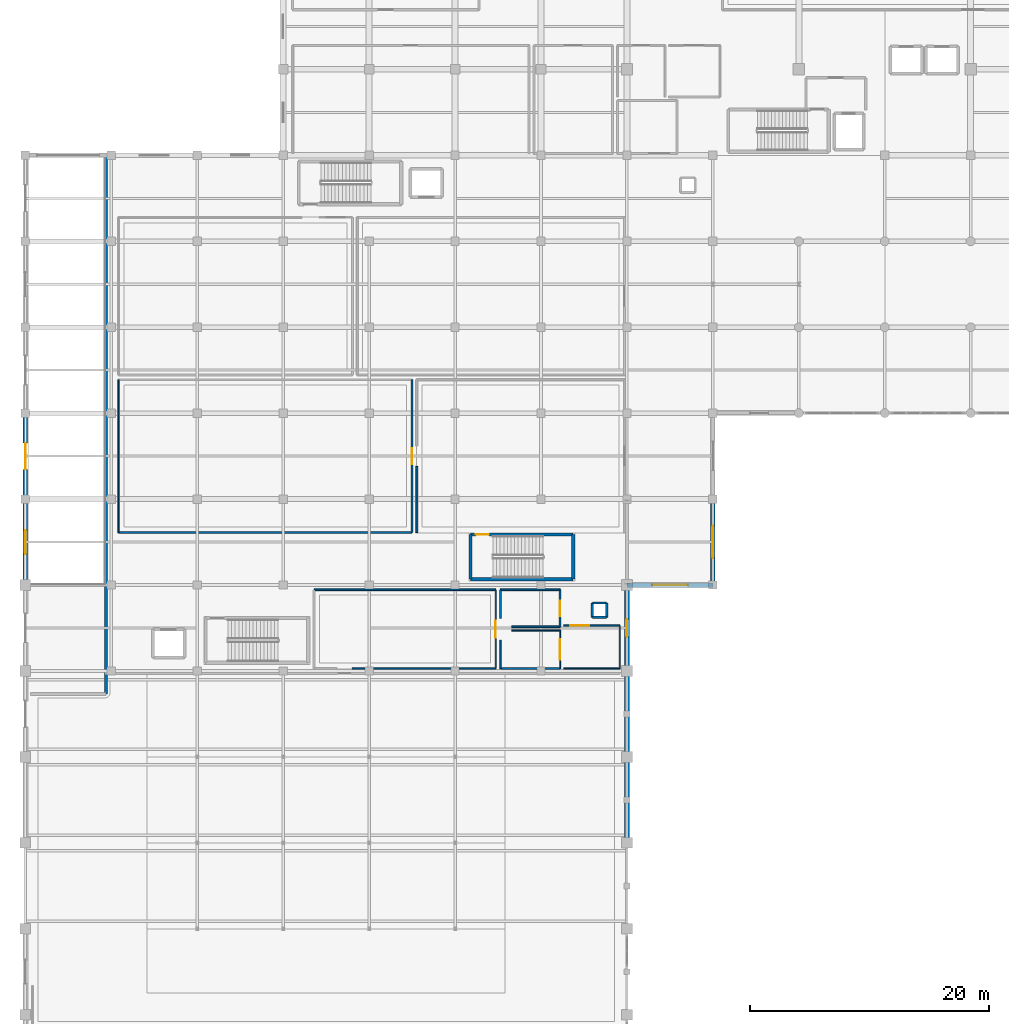
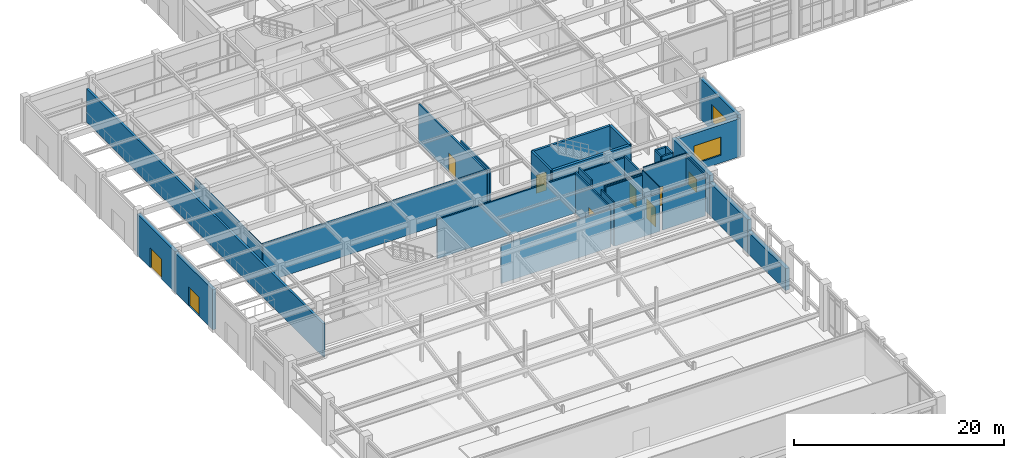
# One storey, part 73 of 102: 34 walls, 8 doors, 3 windows, 11 openings.
"""IFC4 building model written with IfcOpenShell, lengths in metres."""

from ifc_helpers import new_model, si_unit, direction, frame, frame_2d, origin, place, context, subcontext, project, spatial, rectangle, extrude, material, layer, layer_set, type_object, element, fill, save


model = new_model("IFC4")

# Units and contexts
model_context = context("Model", 3, precision=1e-05, world=origin(), true_north=direction((0.0, 1.0)))
body_context = subcontext(model_context, "Body", "Model", "MODEL_VIEW")
ifc_project = project(units=[si_unit("LENGTHUNIT", "METRE"), si_unit("AREAUNIT", "SQUARE_METRE"), si_unit("VOLUMEUNIT", "CUBIC_METRE"), si_unit("PLANEANGLEUNIT", "RADIAN"), si_unit("MASSUNIT", "GRAM", prefix="KILO")], contexts=[model_context])

# Site, building, storey
site_placement = place(None, origin())
site = spatial("IfcSite", under=ifc_project, at=site_placement, CompositionType="ELEMENT")
building_placement = place(site_placement, origin())
building = spatial("IfcBuilding", under=site, at=building_placement, Name="Carrowvane Square Congress Hotel", CompositionType="ELEMENT")
storey_placement = place(building_placement, origin())
storey = spatial("IfcBuildingStorey", under=building, at=storey_placement, Name="L00", CompositionType="ELEMENT", Elevation=0.0)

# Wall, opening, door
ifc_material_1 = material(Name="Portland limestone cladding", Category="masonry")
ifc_layer_1 = layer(ifc_material_1, 0.3798828125)
ifc_layer_set_1 = layer_set([ifc_layer_1], Name="Portland limestone cladding")
wall_type_1 = type_object("IfcWallType", Name="WL-EXT-LS380", PredefinedType="STANDARD", material=ifc_layer_set_1)
wall_1_placement = place(storey_placement, frame((11.60009765625, 55.800048828125, 0.0), z_axis=(0.0, 0.0, 1.0), x_axis=(0.0, 1.0, 0.0)))
wall_1 = element("IfcWall", 1, at=wall_1_placement, inside=storey, type_object=wall_type_1, Name="L00 exterior facade wall 139", PredefinedType="STANDARD", context=body_context, shape_type="SweptSolid", body=[
    extrude(rectangle(XDim=7.199951171875, YDim=0.3798828125, at=frame_2d((3.60009765625, 0.0))), origin(), (0.0, 0.0, 1.0), 4.625),
])
opening_1_placement = place(wall_1_placement, frame((2.60009765625, 0.0, 0.0)))
opening_1 = element("IfcOpeningElement", 2, at=opening_1_placement, cuts=wall_1, Name="Opening ED-1", PredefinedType="OPENING", context=body_context, shape_type="SweptSolid", body=[
    extrude(rectangle(XDim=2.0, YDim=2.199951171875, at=frame_2d((1.0, 1.10009765625))), frame((0.0, 0.199951171875, 0.0), z_axis=(0.0, -1.0, 0.0), x_axis=(1.0, 0.0, 0.0)), (0.0, 0.0, 1.0), 0.39990234375),
])
ifc_material_2 = material(Name="Anodised aluminium", Category="aluminium")
door_type_1 = type_object("IfcDoorType", Name="DR-EXIT-2000", OperationType="DOUBLE_DOOR_SINGLE_SWING", PredefinedType="DOOR", material=ifc_material_2)
door_1_placement = place(opening_1_placement, origin())
door_1 = element("IfcDoor", 3, at=door_1_placement, inside=storey, type_object=door_type_1, Name="L00 final exit door ED-06", OperationType="DOUBLE_DOOR_SINGLE_SWING", OverallHeight=2.199951171875, OverallWidth=2.0, PredefinedType="DOOR", context=body_context, shape_type="SweptSolid", body=[
    extrude(rectangle(XDim=2.0, YDim=2.199951171875, at=frame_2d((1.0, 1.10009765625))), frame((0.0, 0.02490234375, 0.0), z_axis=(0.0, -1.0, 0.0), x_axis=(1.0, 0.0, 0.0)), (0.0, 0.0, 1.0), 0.050048828125),
])
fill(opening_1, door_1)

wall_2_placement = place(storey_placement, frame((11.60009765625, 63.0, 0.0), z_axis=(0.0, 0.0, 1.0), x_axis=(0.0, 1.0, 0.0)))
wall_2 = element("IfcWall", 4, at=wall_2_placement, inside=storey, type_object=wall_type_1, Name="L00 exterior facade wall 140", PredefinedType="STANDARD", context=body_context, shape_type="SweptSolid", body=[
    extrude(rectangle(XDim=7.199951171875, YDim=0.3798828125, at=frame_2d((3.60009765625, 0.0))), origin(), (0.0, 0.0, 1.0), 4.72705078125),
])
opening_2_placement = place(wall_2_placement, frame((2.5, 0.0, 0.0)))
opening_2 = element("IfcOpeningElement", 5, at=opening_2_placement, cuts=wall_2, Name="Opening ED-2", PredefinedType="OPENING", context=body_context, shape_type="SweptSolid", body=[
    extrude(rectangle(XDim=2.199951171875, YDim=2.300048828125, at=frame_2d((1.10009765625, 1.14990234375))), frame((0.0, 0.199951171875, 0.0), z_axis=(0.0, -1.0, 0.0), x_axis=(1.0, 0.0, 0.0)), (0.0, 0.0, 1.0), 0.39990234375),
])
ifc_material_3 = material(Name="Anodised aluminium", Category="aluminium")
door_type_2 = type_object("IfcDoorType", Name="DR-EXIT-2200", OperationType="DOUBLE_DOOR_SINGLE_SWING", PredefinedType="DOOR", material=ifc_material_3)
door_2_placement = place(opening_2_placement, origin())
door_2 = element("IfcDoor", 6, at=door_2_placement, inside=storey, type_object=door_type_2, Name="L00 final exit door ED-07", OperationType="DOUBLE_DOOR_SINGLE_SWING", OverallHeight=2.300048828125, OverallWidth=2.199951171875, PredefinedType="DOOR", context=body_context, shape_type="SweptSolid", body=[
    extrude(rectangle(XDim=2.199951171875, YDim=2.300048828125, at=frame_2d((1.10009765625, 1.14990234375))), frame((0.0, 0.02490234375, 0.0), z_axis=(0.0, -1.0, 0.0), x_axis=(1.0, 0.0, 0.0)), (0.0, 0.0, 1.0), 0.050048828125),
])
fill(opening_2, door_2)

# Wall, opening, window
wall_3_placement = place(storey_placement, frame((69.199951171875, 63.0, 0.0), z_axis=(0.0, 0.0, 1.0), x_axis=(0.0, -1.0, 0.0)))
wall_3 = element("IfcWall", 7, at=wall_3_placement, inside=storey, type_object=wall_type_1, Name="L00 exterior facade wall 192", PredefinedType="STANDARD", context=body_context, shape_type="SweptSolid", body=[
    extrude(rectangle(XDim=7.199951171875, YDim=0.3798828125, at=frame_2d((3.60009765625, 0.0))), origin(), (0.0, 0.0, 1.0), 4.72705078125),
])
opening_3_placement = place(wall_3_placement, frame((2.25, 0.0, 0.89990234375)))
opening_3 = element("IfcOpeningElement", 8, at=opening_3_placement, cuts=wall_3, Name="Opening W-13", PredefinedType="OPENING", context=body_context, shape_type="SweptSolid", body=[
    extrude(rectangle(XDim=2.699951171875, YDim=2.10009765625, at=frame_2d((1.35009765625, 1.050048828125))), frame((0.0, 0.199951171875, 0.0), z_axis=(0.0, -1.0, 0.0), x_axis=(1.0, 0.0, 0.0)), (0.0, 0.0, 1.0), 0.39990234375),
])
ifc_material_4 = material(Name="Double-glazed low-E glass", Category="glass")
window_type_1 = type_object("IfcWindowType", Name="WIN-13", PartitioningType="SINGLE_PANEL", PredefinedType="WINDOW", material=ifc_material_4)
window_1_placement = place(opening_3_placement, origin())
window_1 = element("IfcWindow", 9, at=window_1_placement, inside=storey, type_object=window_type_1, Name="L00 facade window 28", OverallHeight=2.10009765625, OverallWidth=2.699951171875, PartitioningType="SINGLE_PANEL", PredefinedType="WINDOW", context=body_context, shape_type="SweptSolid", body=[
    extrude(rectangle(XDim=2.699951171875, YDim=2.10009765625, at=frame_2d((1.35009765625, 1.050048828125))), frame((0.0, 0.030029296875, 0.0), z_axis=(0.0, -1.0, 0.0), x_axis=(1.0, 0.0, 0.0)), (0.0, 0.0, 1.0), 0.06005859375),
])
fill(opening_3, window_1)

wall_4_placement = place(storey_placement, frame((69.199951171875, 55.800048828125, 0.0), z_axis=(0.0, 0.0, 1.0), x_axis=(-1.0, 0.0, 0.0)))
wall_4 = element("IfcWall", 10, at=wall_4_placement, inside=storey, type_object=wall_type_1, Name="L00 exterior facade wall 193", PredefinedType="STANDARD", context=body_context, shape_type="SweptSolid", body=[
    extrude(rectangle(XDim=7.199951171875, YDim=0.3798828125, at=frame_2d((3.60009765625, 0.0))), origin(), (0.0, 0.0, 1.0), 4.43505859375),
])
opening_4_placement = place(wall_4_placement, frame((2.10009765625, 0.0, 0.89990234375)))
opening_4 = element("IfcOpeningElement", 11, at=opening_4_placement, cuts=wall_4, Name="Opening W-14", PredefinedType="OPENING", context=body_context, shape_type="SweptSolid", body=[
    extrude(rectangle(XDim=3.0, YDim=2.10009765625, at=frame_2d((1.5, 1.050048828125))), frame((0.0, 0.199951171875, 0.0), z_axis=(0.0, -1.0, 0.0), x_axis=(1.0, 0.0, 0.0)), (0.0, 0.0, 1.0), 0.39990234375),
])
ifc_material_5 = material(Name="Double-glazed low-E glass", Category="glass")
window_type_2 = type_object("IfcWindowType", Name="WIN-14", PartitioningType="SINGLE_PANEL", PredefinedType="WINDOW", material=ifc_material_5)
window_2_placement = place(opening_4_placement, origin())
window_2 = element("IfcWindow", 12, at=window_2_placement, inside=storey, type_object=window_type_2, Name="L00 facade window 29", OverallHeight=2.10009765625, OverallWidth=3.0, PartitioningType="SINGLE_PANEL", PredefinedType="WINDOW", context=body_context, shape_type="SweptSolid", body=[
    extrude(rectangle(XDim=3.0, YDim=2.10009765625, at=frame_2d((1.5, 1.050048828125))), frame((0.0, 0.030029296875, 0.0), z_axis=(0.0, -1.0, 0.0), x_axis=(1.0, 0.0, 0.0)), (0.0, 0.0, 1.0), 0.06005859375),
])
fill(opening_4, window_2)

ifc_material_6 = material(Name="Portland limestone cladding", Category="masonry")
ifc_layer_2 = layer(ifc_material_6, 0.419921875)
ifc_layer_set_2 = layer_set([ifc_layer_2], Name="Portland limestone cladding")
wall_type_2 = type_object("IfcWallType", Name="WL-EXT-LS420", PredefinedType="STANDARD", material=ifc_layer_set_2)
wall_5_placement = place(storey_placement, frame((62.0, 55.800048828125, 0.0), z_axis=(0.0, 0.0, 1.0), x_axis=(0.0, -1.0, 0.0)))
wall_5 = element("IfcWall", 13, at=wall_5_placement, inside=storey, type_object=wall_type_2, Name="L00 exterior facade wall 194", PredefinedType="STANDARD", context=body_context, shape_type="SweptSolid", body=[
    extrude(rectangle(XDim=7.199951171875, YDim=0.419921875, at=frame_2d((3.60009765625, 0.0))), origin(), (0.0, 0.0, 1.0), 4.625),
])
opening_5_placement = place(wall_5_placement, frame((2.85009765625, 0.0, 0.89990234375)))
opening_5 = element("IfcOpeningElement", 14, at=opening_5_placement, cuts=wall_5, Name="Opening W-15", PredefinedType="OPENING", context=body_context, shape_type="SweptSolid", body=[
    extrude(rectangle(XDim=1.5, YDim=1.5, at=frame_2d((0.75, 0.75))), frame((0.0, 0.219970703125, 0.0), z_axis=(0.0, -1.0, 0.0), x_axis=(1.0, 0.0, 0.0)), (0.0, 0.0, 1.0), 0.43994140625),
])
ifc_material_7 = material(Name="Double-glazed low-E glass", Category="glass")
window_type_3 = type_object("IfcWindowType", Name="WIN-15", PartitioningType="SINGLE_PANEL", PredefinedType="WINDOW", material=ifc_material_7)
window_3_placement = place(opening_5_placement, origin())
window_3 = element("IfcWindow", 15, at=window_3_placement, inside=storey, type_object=window_type_3, Name="L00 facade window 30", OverallHeight=1.5, OverallWidth=1.5, PartitioningType="SINGLE_PANEL", PredefinedType="WINDOW", context=body_context, shape_type="SweptSolid", body=[
    extrude(rectangle(XDim=1.5, YDim=1.5, at=frame_2d((0.75, 0.75))), frame((0.0, 0.030029296875, 0.0), z_axis=(0.0, -1.0, 0.0), x_axis=(1.0, 0.0, 0.0)), (0.0, 0.0, 1.0), 0.06005859375),
])
fill(opening_5, window_3)

# Walls
wall_6_placement = place(storey_placement, frame((62.0, 48.60009765625, 0.0), z_axis=(0.0, 0.0, 1.0), x_axis=(0.0, -1.0, 0.0)))
element("IfcWall", 16, at=wall_6_placement, inside=storey, type_object=wall_type_2, Name="L00 exterior facade wall 195", PredefinedType="STANDARD", context=body_context, shape_type="SweptSolid", body=[
    extrude(rectangle(XDim=7.2001953125, YDim=0.419921875, at=frame_2d((3.60009765625, 0.0))), origin(), (0.0, 0.0, 1.0), 3.848388671875),
])
wall_7_placement = place(storey_placement, frame((62.0, 41.39990234375, 0.0), z_axis=(0.0, 0.0, 1.0), x_axis=(0.0, -1.0, 0.0)))
element("IfcWall", 17, at=wall_7_placement, inside=storey, type_object=wall_type_2, Name="L00 exterior facade wall 196", PredefinedType="STANDARD", context=body_context, shape_type="SweptSolid", body=[
    extrude(rectangle(XDim=7.199951171875, YDim=0.419921875, at=frame_2d((3.60009765625, 0.0))), origin(), (0.0, 0.0, 1.0), 2.54833984375),
])
ifc_material_8 = material(Name="Acoustic gypsum board", Category="gypsum")
ifc_layer_3 = layer(ifc_material_8, 0.155029296875)
ifc_layer_set_3 = layer_set([ifc_layer_3], Name="Acoustic gypsum board")
wall_type_3 = type_object("IfcWallType", Name="WL-FIR-155", PredefinedType="PARTITIONING", material=ifc_layer_set_3)
wall_8_placement = place(storey_placement, frame((35.800048828125, 55.39990234375, 0.0), z_axis=(0.0, 0.0, 1.0), x_axis=(1.0, 0.0, 0.0)))
element("IfcWall", 18, at=wall_8_placement, inside=storey, type_object=wall_type_3, Name="L00 Congress Registration Concourse partition", PredefinedType="PARTITIONING", context=body_context, shape_type="SweptSolid", body=[
    extrude(rectangle(XDim=15.199951171875, YDim=0.155029296875, at=frame_2d((7.60009765625, 0.0))), origin(), (0.0, 0.0, 1.0), 4.54833984375),
])
wall_9_placement = place(storey_placement, frame((51.39990234375, 55.39990234375, 0.0), z_axis=(0.0, 0.0, 1.0), x_axis=(1.0, 0.0, 0.0)))
element("IfcWall", 19, at=wall_9_placement, inside=storey, type_object=wall_type_3, Name="L00 Congress Female Toilets partition", PredefinedType="PARTITIONING", context=body_context, shape_type="SweptSolid", body=[
    extrude(rectangle(XDim=5.0, YDim=0.155029296875, at=frame_2d((2.5, 0.0))), origin(), (0.0, 0.0, 1.0), 4.54833984375),
])
wall_10_placement = place(storey_placement, frame((44.39990234375, 60.199951171875, 0.0), z_axis=(0.0, 0.0, 1.0), x_axis=(0.0, 1.0, 0.0)))
element("IfcWall", 20, at=wall_10_placement, inside=storey, type_object=wall_type_3, Name="L00 Botanical Wellness Cafe partition", PredefinedType="PARTITIONING", context=body_context, shape_type="SweptSolid", body=[
    extrude(rectangle(XDim=5.5400390625, YDim=0.155029296875, at=frame_2d((2.77001953125, 0.0))), origin(), (0.0, 0.0, 1.0), 4.43505859375),
])
ifc_material_9 = material(Name="Acoustic gypsum board", Category="gypsum")
ifc_layer_4 = layer(ifc_material_9, 0.169921875)
ifc_layer_set_4 = layer_set([ifc_layer_4], Name="Acoustic gypsum board")
wall_type_4 = type_object("IfcWallType", Name="WL-FIR-170", PredefinedType="PARTITIONING", material=ifc_layer_set_4)
wall_11_placement = place(storey_placement, frame((51.39990234375, 53.0048828125, 0.0), z_axis=(0.0, 0.0, 1.0), x_axis=(0.0, 1.0, 0.0)))
element("IfcWall", 21, at=wall_11_placement, inside=storey, type_object=wall_type_4, Name="L00 Congress Female Toilets partition", PredefinedType="PARTITIONING", context=body_context, shape_type="SweptSolid", body=[
    extrude(rectangle(XDim=2.39501953125, YDim=0.169921875, at=frame_2d((1.197509765625, 0.0))), origin(), (0.0, 0.0, 1.0), 5.10009765625),
])
wall_12_placement = place(storey_placement, frame((44.0, 60.199951171875, 0.0), z_axis=(0.0, 0.0, 1.0), x_axis=(-1.0, 0.0, 0.0)))
element("IfcWall", 22, at=wall_12_placement, inside=storey, type_object=wall_type_4, Name="L00 Thermal Spa Reception Lounge partition", PredefinedType="PARTITIONING", context=body_context, shape_type="SweptSolid", body=[
    extrude(rectangle(XDim=24.60009765625, YDim=0.169921875, at=frame_2d((12.300048828125, 0.0))), origin(), (0.0, 0.0, 1.0), 4.54833984375),
])
ifc_material_10 = material(Name="Acoustic gypsum board", Category="gypsum")
ifc_layer_5 = layer(ifc_material_10, 0.18505859375)
ifc_layer_set_5 = layer_set([ifc_layer_5], Name="Acoustic gypsum board")
wall_type_5 = type_object("IfcWallType", Name="WL-FIR-185", PredefinedType="PARTITIONING", material=ifc_layer_set_5)
wall_13_placement = place(storey_placement, frame((56.39990234375, 48.800048828125, 0.0), z_axis=(0.0, 0.0, 1.0), x_axis=(-1.0, 0.0, 0.0)))
element("IfcWall", 23, at=wall_13_placement, inside=storey, type_object=wall_type_5, Name="L00 Congress Male Toilets partition", PredefinedType="PARTITIONING", context=body_context, shape_type="SweptSolid", body=[
    extrude(rectangle(XDim=5.0, YDim=0.18505859375, at=frame_2d((2.5, 0.0))), origin(), (0.0, 0.0, 1.0), 4.472900390625),
])

# Wall, opening, door
wall_14_placement = place(storey_placement, frame((44.0, 73.0, 0.0), z_axis=(0.0, 0.0, 1.0), x_axis=(0.0, -1.0, 0.0)))
wall_14 = element("IfcWall", 24, at=wall_14_placement, inside=storey, type_object=wall_type_5, Name="L00 Thermal Spa Reception Lounge partition", PredefinedType="PARTITIONING", context=body_context, shape_type="SweptSolid", body=[
    extrude(rectangle(XDim=12.800048828125, YDim=0.18505859375, at=frame_2d((6.39990234375, 0.0))), origin(), (0.0, 0.0, 1.0), 4.43505859375),
])
opening_6_placement = place(wall_14_placement, frame((5.719970703125, 0.0, 0.0)))
opening_6 = element("IfcOpeningElement", 25, at=opening_6_placement, cuts=wall_14, Name="Opening ID-25", PredefinedType="OPENING", context=body_context, shape_type="SweptSolid", body=[
    extrude(rectangle(XDim=1.360107421875, YDim=2.219970703125, at=frame_2d((0.68017578125, 1.10986328125))), frame((0.0, 0.1025390625, 0.0), z_axis=(0.0, -1.0, 0.0), x_axis=(1.0, 0.0, 0.0)), (0.0, 0.0, 1.0), 0.205078125),
])
ifc_material_11 = material(Name="European oak timber", Category="wood")
door_type_3 = type_object("IfcDoorType", Name="DR-INT-1360x2220", OperationType="DOUBLE_DOOR_SINGLE_SWING", PredefinedType="DOOR", material=ifc_material_11)
door_3_placement = place(opening_6_placement, origin())
door_3 = element("IfcDoor", 26, at=door_3_placement, inside=storey, type_object=door_type_3, Name="L00 Thermal Spa Reception Lounge entrance door", OperationType="DOUBLE_DOOR_SINGLE_SWING", OverallHeight=2.219970703125, OverallWidth=1.360107421875, PredefinedType="DOOR", context=body_context, shape_type="SweptSolid", body=[
    extrude(rectangle(XDim=1.360107421875, YDim=2.219970703125, at=frame_2d((0.68017578125, 1.10986328125))), frame((0.0, 0.02490234375, 0.0), z_axis=(0.0, -1.0, 0.0), x_axis=(1.0, 0.0, 0.0)), (0.0, 0.0, 1.0), 0.050048828125),
])
fill(opening_6, door_3)

# Walls
ifc_material_12 = material(Name="Standing-seam zinc cladding", Category="metal")
ifc_layer_6 = layer(ifc_material_12, 0.195068359375)
ifc_layer_set_6 = layer_set([ifc_layer_6], Name="Standing-seam zinc cladding")
wall_type_6 = type_object("IfcWallType", Name="WL-PAR-195", PredefinedType="PARAPET", material=ifc_layer_set_6)
for number, where, z_axis, x_axis, name in (
    (27, (59.10009765625, 53.10009765625, 0.0), (0.0, 0.0, 1.0), (1.0, 0.0, 0.0), "L00 service riser RSR-V1 enclosure S"),
    (28, (60.300048828125, 53.10009765625, 0.0), (0.0, 0.0, 1.0), (0.0, 1.0, 0.0), "L00 service riser RSR-V1 enclosure E"),
    (29, (60.300048828125, 54.300048828125, 0.0), (0.0, 0.0, 1.0), (-1.0, 0.0, 0.0), "L00 service riser RSR-V1 enclosure N"),
    (30, (59.10009765625, 54.300048828125, 0.0), (0.0, 0.0, 1.0), (0.0, -1.0, 0.0), "L00 service riser RSR-V1 enclosure W"),
):
    element("IfcWall", number, at=place(storey_placement, frame(where, z_axis=z_axis, x_axis=x_axis)), inside=storey, type_object=wall_type_6, Name=name, PredefinedType="PARAPET", context=body_context, shape_type="SweptSolid", body=[
        extrude(rectangle(XDim=1.199951171875, YDim=0.195068359375, at=frame_2d((0.60009765625, 0.0))), origin(), (0.0, 0.0, 1.0), 5.10009765625),
    ])
ifc_material_13 = material(Name="Portland limestone cladding", Category="masonry")
ifc_layer_7 = layer(ifc_material_13, 0.239990234375)
ifc_layer_set_7 = layer_set([ifc_layer_7], Name="Portland limestone cladding")
wall_type_7 = type_object("IfcWallType", Name="WL-PAR-240", PredefinedType="PARAPET", material=ifc_layer_set_7)
wall_15_placement = place(storey_placement, frame((18.3701171875, 46.679931640625, 0.0), z_axis=(0.0, 0.0, 1.0), x_axis=(0.0, 1.0, 0.0)))
element("IfcWall", 31, at=wall_15_placement, inside=storey, type_object=wall_type_7, Name="L00 ramp shaft enclosure wall 1", PredefinedType="PARAPET", context=body_context, shape_type="SweptSolid", body=[
    extrude(rectangle(XDim=44.969970703125, YDim=0.239990234375, at=frame_2d((22.48486328125, 0.0))), origin(), (0.0, 0.0, 1.0), 3.848388671875),
])

# Wall, opening, door
ifc_material_14 = material(Name="Acoustic gypsum board", Category="gypsum")
ifc_layer_8 = layer(ifc_material_14, 0.097900390625)
ifc_layer_set_8 = layer_set([ifc_layer_8], Name="Acoustic gypsum board")
wall_type_8 = type_object("IfcWallType", Name="WL-PRT-098", PredefinedType="PARTITIONING", material=ifc_layer_set_8)
wall_16_placement = place(storey_placement, frame((56.39990234375, 52.0, 0.0), z_axis=(0.0, 0.0, 1.0), x_axis=(0.0, -1.0, 0.0)))
wall_16 = element("IfcWall", 32, at=wall_16_placement, inside=storey, type_object=wall_type_8, Name="L00 Congress Male Toilets partition", PredefinedType="PARTITIONING", context=body_context, shape_type="SweptSolid", body=[
    extrude(rectangle(XDim=3.199951171875, YDim=0.097900390625, at=frame_2d((1.60009765625, 0.0))), origin(), (0.0, 0.0, 1.0), 5.10009765625),
])
opening_7_placement = place(wall_16_placement, frame((0.75, 0.0, 0.0)))
opening_7 = element("IfcOpeningElement", 33, at=opening_7_placement, cuts=wall_16, Name="Opening FD-12", PredefinedType="OPENING", context=body_context, shape_type="SweptSolid", body=[
    extrude(rectangle(XDim=1.699951171875, YDim=2.25, at=frame_2d((0.85009765625, 1.125))), frame((0.0, 0.058837890625, 0.0), z_axis=(0.0, -1.0, 0.0), x_axis=(1.0, 0.0, 0.0)), (0.0, 0.0, 1.0), 0.117919921875),
])
ifc_material_15 = material(Name="European oak timber", Category="wood")
door_type_4 = type_object("IfcDoorType", Name="DR-FD30-1700x2250", OperationType="DOUBLE_DOOR_SINGLE_SWING", PredefinedType="DOOR", material=ifc_material_15)
door_4_placement = place(opening_7_placement, origin())
door_4 = element("IfcDoor", 34, at=door_4_placement, inside=storey, type_object=door_type_4, Name="L00 Congress Male Toilets entrance door", OperationType="DOUBLE_DOOR_SINGLE_SWING", OverallHeight=2.25, OverallWidth=1.699951171875, PredefinedType="DOOR", context=body_context, shape_type="SweptSolid", body=[
    extrude(rectangle(XDim=1.699951171875, YDim=2.25, at=frame_2d((0.85009765625, 1.125))), frame((0.0, 0.02490234375, 0.0), z_axis=(0.0, -1.0, 0.0), x_axis=(1.0, 0.0, 0.0)), (0.0, 0.0, 1.0), 0.050048828125),
])
fill(opening_7, door_4)

# Walls
ifc_material_16 = material(Name="Acoustic gypsum board", Category="gypsum")
ifc_layer_9 = layer(ifc_material_16, 0.10791015625)
ifc_layer_set_9 = layer_set([ifc_layer_9], Name="Acoustic gypsum board")
wall_type_9 = type_object("IfcWallType", Name="WL-PRT-108", PredefinedType="PARTITIONING", material=ifc_layer_set_9)
wall_17_placement = place(storey_placement, frame((52.35009765625, 52.0, 0.0), z_axis=(0.0, 0.0, 1.0), x_axis=(1.0, 0.0, 0.0)))
element("IfcWall", 35, at=wall_17_placement, inside=storey, type_object=wall_type_9, Name="L00 Congress Male Toilets partition", PredefinedType="PARTITIONING", context=body_context, shape_type="SweptSolid", body=[
    extrude(rectangle(XDim=4.0498046875, YDim=0.10791015625, at=frame_2d((2.02490234375, 0.0))), origin(), (0.0, 0.0, 1.0), 4.54833984375),
])
wall_18_placement = place(storey_placement, frame((61.39990234375, 48.800048828125, 0.0), z_axis=(0.0, 0.0, 1.0), x_axis=(-1.0, 0.0, 0.0)))
element("IfcWall", 36, at=wall_18_placement, inside=storey, type_object=wall_type_9, Name="L00 Congress Accessible WC partition", PredefinedType="PARTITIONING", context=body_context, shape_type="SweptSolid", body=[
    extrude(rectangle(XDim=4.699951171875, YDim=0.10791015625, at=frame_2d((2.35009765625, 0.0))), origin(), (0.0, 0.0, 1.0), 4.472900390625),
])
wall_19_placement = place(storey_placement, frame((19.39990234375, 60.199951171875, 0.0), z_axis=(0.0, 0.0, 1.0), x_axis=(0.0, 1.0, 0.0)))
element("IfcWall", 37, at=wall_19_placement, inside=storey, type_object=wall_type_9, Name="L00 Thermal Spa Reception Lounge partition", PredefinedType="PARTITIONING", context=body_context, shape_type="SweptSolid", body=[
    extrude(rectangle(XDim=12.800048828125, YDim=0.10791015625, at=frame_2d((6.39990234375, 0.0))), origin(), (0.0, 0.0, 1.0), 4.43505859375),
])
ifc_material_17 = material(Name="Acoustic gypsum board", Category="gypsum")
ifc_layer_10 = layer(ifc_material_17, 0.117919921875)
ifc_layer_set_10 = layer_set([ifc_layer_10], Name="Acoustic gypsum board")
wall_type_10 = type_object("IfcWallType", Name="WL-PRT-118", PredefinedType="PARTITIONING", material=ifc_layer_set_10)
wall_20_placement = place(storey_placement, frame((51.39990234375, 48.800048828125, 0.0), z_axis=(0.0, 0.0, 1.0), x_axis=(0.0, 1.0, 0.0)))
element("IfcWall", 38, at=wall_20_placement, inside=storey, type_object=wall_type_10, Name="L00 Congress Male Toilets partition", PredefinedType="PARTITIONING", context=body_context, shape_type="SweptSolid", body=[
    extrude(rectangle(XDim=2.39501953125, YDim=0.117919921875, at=frame_2d((1.197509765625, 0.0))), origin(), (0.0, 0.0, 1.0), 5.10009765625),
])
wall_21_placement = place(storey_placement, frame((61.39990234375, 52.39990234375, 0.0), z_axis=(0.0, 0.0, 1.0), x_axis=(0.0, -1.0, 0.0)))
element("IfcWall", 39, at=wall_21_placement, inside=storey, type_object=wall_type_10, Name="L00 Congress Accessible WC partition", PredefinedType="PARTITIONING", context=body_context, shape_type="SweptSolid", body=[
    extrude(rectangle(XDim=3.599853515625, YDim=0.117919921875, at=frame_2d((1.7998046875, 0.0))), origin(), (0.0, 0.0, 1.0), 4.72705078125),
])

# Wall, opening, door
ifc_material_18 = material(Name="Acoustic gypsum board", Category="gypsum")
ifc_layer_11 = layer(ifc_material_18, 0.1279296875)
ifc_layer_set_11 = layer_set([ifc_layer_11], Name="Acoustic gypsum board")
wall_type_11 = type_object("IfcWallType", Name="WL-PRT-128", PredefinedType="PARTITIONING", material=ifc_layer_set_11)
wall_22_placement = place(storey_placement, frame((56.699951171875, 52.39990234375, 0.0), z_axis=(0.0, 0.0, 1.0), x_axis=(1.0, 0.0, 0.0)))
wall_22 = element("IfcWall", 40, at=wall_22_placement, inside=storey, type_object=wall_type_11, Name="L00 Congress Accessible WC partition", PredefinedType="PARTITIONING", context=body_context, shape_type="SweptSolid", body=[
    extrude(rectangle(XDim=4.699951171875, YDim=0.1279296875, at=frame_2d((2.35009765625, 0.0))), origin(), (0.0, 0.0, 1.0), 5.10009765625),
])
opening_8_placement = place(wall_22_placement, frame((0.550048828125, 0.0, 0.0)))
opening_8 = element("IfcOpeningElement", 41, at=opening_8_placement, cuts=wall_22, Name="Opening FD-04", PredefinedType="OPENING", context=body_context, shape_type="SweptSolid", body=[
    extrude(rectangle(XDim=1.60009765625, YDim=2.14990234375, at=frame_2d((0.800048828125, 1.074951171875))), frame((0.0, 0.073974609375, 0.0), z_axis=(0.0, -1.0, 0.0), x_axis=(1.0, 0.0, 0.0)), (0.0, 0.0, 1.0), 0.14794921875),
])
ifc_material_19 = material(Name="European oak timber", Category="wood")
door_type_5 = type_object("IfcDoorType", Name="DR-FD60-1600x2150", OperationType="DOUBLE_DOOR_SINGLE_SWING", PredefinedType="DOOR", material=ifc_material_19)
door_5_placement = place(opening_8_placement, origin())
door_5 = element("IfcDoor", 42, at=door_5_placement, inside=storey, type_object=door_type_5, Name="L00 Congress Accessible WC entrance door", OperationType="DOUBLE_DOOR_SINGLE_SWING", OverallHeight=2.14990234375, OverallWidth=1.60009765625, PredefinedType="DOOR", context=body_context, shape_type="SweptSolid", body=[
    extrude(rectangle(XDim=1.60009765625, YDim=2.14990234375, at=frame_2d((0.800048828125, 1.074951171875))), frame((0.0, 0.02490234375, 0.0), z_axis=(0.0, -1.0, 0.0), x_axis=(1.0, 0.0, 0.0)), (0.0, 0.0, 1.0), 0.050048828125),
])
fill(opening_8, door_5)

# Walls
ifc_material_20 = material(Name="Acoustic gypsum board", Category="gypsum")
ifc_layer_12 = layer(ifc_material_20, 0.137939453125)
ifc_layer_set_12 = layer_set([ifc_layer_12], Name="Acoustic gypsum board")
wall_type_12 = type_object("IfcWallType", Name="WL-PRT-138", PredefinedType="PARTITIONING", material=ifc_layer_set_12)
wall_23_placement = place(storey_placement, frame((51.0, 48.800048828125, 0.0), z_axis=(0.0, 0.0, 1.0), x_axis=(-1.0, 0.0, 0.0)))
element("IfcWall", 43, at=wall_23_placement, inside=storey, type_object=wall_type_12, Name="L00 Congress Registration Concourse partition", PredefinedType="PARTITIONING", context=body_context, shape_type="SweptSolid", body=[
    extrude(rectangle(XDim=12.014892578125, YDim=0.137939453125, at=frame_2d((6.00732421875, 0.0))), origin(), (0.0, 0.0, 1.0), 4.472900390625),
])
wall_24_placement = place(storey_placement, frame((56.39990234375, 52.300048828125, 0.0), z_axis=(0.0, 0.0, 1.0), x_axis=(-1.0, 0.0, 0.0)))
element("IfcWall", 44, at=wall_24_placement, inside=storey, type_object=wall_type_12, Name="L00 Congress Female Toilets partition", PredefinedType="PARTITIONING", context=body_context, shape_type="SweptSolid", body=[
    extrude(rectangle(XDim=4.0498046875, YDim=0.137939453125, at=frame_2d((2.02490234375, 0.0))), origin(), (0.0, 0.0, 1.0), 4.54833984375),
])

# Wall, opening, door
ifc_material_21 = material(Name="Acoustic gypsum board", Category="gypsum")
ifc_layer_13 = layer(ifc_material_21, 0.14794921875)
ifc_layer_set_13 = layer_set([ifc_layer_13], Name="Acoustic gypsum board")
wall_type_13 = type_object("IfcWallType", Name="WL-PRT-148", PredefinedType="PARTITIONING", material=ifc_layer_set_13)
wall_25_placement = place(storey_placement, frame((51.0, 55.39990234375, 0.0), z_axis=(0.0, 0.0, 1.0), x_axis=(0.0, -1.0, 0.0)))
wall_25 = element("IfcWall", 45, at=wall_25_placement, inside=storey, type_object=wall_type_13, Name="L00 Congress Registration Concourse partition", PredefinedType="PARTITIONING", context=body_context, shape_type="SweptSolid", body=[
    extrude(rectangle(XDim=6.599853515625, YDim=0.14794921875, at=frame_2d((3.2998046875, 0.0))), origin(), (0.0, 0.0, 1.0), 4.72705078125),
])
opening_9_placement = place(wall_25_placement, frame((2.574951171875, 0.0, 0.0)))
opening_9 = element("IfcOpeningElement", 46, at=opening_9_placement, cuts=wall_25, Name="Opening FD-11", PredefinedType="OPENING", context=body_context, shape_type="SweptSolid", body=[
    extrude(rectangle(XDim=1.449951171875, YDim=2.199951171875, at=frame_2d((0.72509765625, 1.10009765625))), frame((0.0, 0.083984375, 0.0), z_axis=(0.0, -1.0, 0.0), x_axis=(1.0, 0.0, 0.0)), (0.0, 0.0, 1.0), 0.16796875),
])
ifc_material_22 = material(Name="European oak timber", Category="wood")
door_type_6 = type_object("IfcDoorType", Name="DR-FD30-1450x2200", OperationType="DOUBLE_DOOR_SINGLE_SWING", PredefinedType="DOOR", material=ifc_material_22)
door_6_placement = place(opening_9_placement, origin())
door_6 = element("IfcDoor", 47, at=door_6_placement, inside=storey, type_object=door_type_6, Name="L00 Congress Registration Concourse entrance door", OperationType="DOUBLE_DOOR_SINGLE_SWING", OverallHeight=2.199951171875, OverallWidth=1.449951171875, PredefinedType="DOOR", context=body_context, shape_type="SweptSolid", body=[
    extrude(rectangle(XDim=1.449951171875, YDim=2.199951171875, at=frame_2d((0.72509765625, 1.10009765625))), frame((0.0, 0.02490234375, 0.0), z_axis=(0.0, -1.0, 0.0), x_axis=(1.0, 0.0, 0.0)), (0.0, 0.0, 1.0), 0.050048828125),
])
fill(opening_9, door_6)

wall_26_placement = place(storey_placement, frame((56.39990234375, 55.39990234375, 0.0), z_axis=(0.0, 0.0, 1.0), x_axis=(0.0, -1.0, 0.0)))
wall_26 = element("IfcWall", 48, at=wall_26_placement, inside=storey, type_object=wall_type_13, Name="L00 Congress Female Toilets partition", PredefinedType="PARTITIONING", context=body_context, shape_type="SweptSolid", body=[
    extrude(rectangle(XDim=3.099853515625, YDim=0.14794921875, at=frame_2d((1.5498046875, 0.0))), origin(), (0.0, 0.0, 1.0), 4.72705078125),
])
opening_10_placement = place(wall_26_placement, frame((0.89990234375, 0.0, 0.0)))
opening_10 = element("IfcOpeningElement", 49, at=opening_10_placement, cuts=wall_26, Name="Opening FD-03", PredefinedType="OPENING", context=body_context, shape_type="SweptSolid", body=[
    extrude(rectangle(XDim=1.300048828125, YDim=2.14990234375, at=frame_2d((0.64990234375, 1.074951171875))), frame((0.0, 0.083984375, 0.0), z_axis=(0.0, -1.0, 0.0), x_axis=(1.0, 0.0, 0.0)), (0.0, 0.0, 1.0), 0.16796875),
])
ifc_material_23 = material(Name="European oak timber", Category="wood")
door_type_7 = type_object("IfcDoorType", Name="DR-FD60-1300x2150", OperationType="NOTDEFINED", PredefinedType="DOOR", material=ifc_material_23)
door_7_placement = place(opening_10_placement, origin())
door_7 = element("IfcDoor", 50, at=door_7_placement, inside=storey, type_object=door_type_7, Name="L00 Congress Female Toilets entrance door", OperationType="SINGLE_SWING_RIGHT", OverallHeight=2.14990234375, OverallWidth=1.300048828125, PredefinedType="DOOR", context=body_context, shape_type="SweptSolid", body=[
    extrude(rectangle(XDim=1.300048828125, YDim=2.14990234375, at=frame_2d((0.64990234375, 1.074951171875))), frame((0.0, 0.02490234375, 0.0), z_axis=(0.0, -1.0, 0.0), x_axis=(1.0, 0.0, 0.0)), (0.0, 0.0, 1.0), 0.050048828125),
])
fill(opening_10, door_7)

# Wall
ifc_material_24 = material(Name="Concrete C40/50", Category="concrete")
ifc_layer_14 = layer(ifc_material_24, 0.22509765625)
ifc_layer_set_14 = layer_set([ifc_layer_14], Name="Concrete C40/50")
wall_type_14 = type_object("IfcWallType", Name="WL-SHR-225", PredefinedType="SHEAR", material=ifc_layer_set_14)
wall_27_placement = place(storey_placement, frame((48.89990234375, 60.02001953125, 0.0), z_axis=(0.0, 0.0, 1.0), x_axis=(0.0, -1.0, 0.0)))
element("IfcWall", 51, at=wall_27_placement, inside=storey, type_object=wall_type_14, Name="L00 ST7 core wall west", PredefinedType="SHEAR", context=body_context, shape_type="SweptSolid", body=[
    extrude(rectangle(XDim=3.719970703125, YDim=0.22509765625, at=frame_2d((1.85986328125, 0.0))), origin(), (0.0, 0.0, 1.0), 5.10009765625),
])

# Wall, opening, door
ifc_material_25 = material(Name="Concrete C40/50", Category="concrete")
ifc_layer_15 = layer(ifc_material_25, 0.25)
ifc_layer_set_15 = layer_set([ifc_layer_15], Name="Concrete C40/50")
wall_type_15 = type_object("IfcWallType", Name="WL-SHR-250", PredefinedType="SHEAR", material=ifc_layer_set_15)
wall_28_placement = place(storey_placement, frame((57.5, 60.02001953125, 0.0), z_axis=(0.0, 0.0, 1.0), x_axis=(-1.0, 0.0, 0.0)))
wall_28 = element("IfcWall", 52, at=wall_28_placement, inside=storey, type_object=wall_type_15, Name="L00 ST7 core wall north", PredefinedType="SHEAR", context=body_context, shape_type="SweptSolid", body=[
    extrude(rectangle(XDim=8.60009765625, YDim=0.25, at=frame_2d((4.300048828125, 0.0))), origin(), (0.0, 0.0, 1.0), 5.10009765625),
])
opening_11_placement = place(wall_28_placement, frame((7.06005859375, 0.0, 0.0)))
opening_11 = element("IfcOpeningElement", 53, at=opening_11_placement, cuts=wall_28, Name="Opening FD-01", PredefinedType="OPENING", context=body_context, shape_type="SweptSolid", body=[
    extrude(rectangle(XDim=1.10009765625, YDim=2.10009765625, at=frame_2d((0.550048828125, 1.050048828125))), frame((0.0, 0.135009765625, 0.0), z_axis=(0.0, -1.0, 0.0), x_axis=(1.0, 0.0, 0.0)), (0.0, 0.0, 1.0), 0.27001953125),
])
ifc_material_26 = material(Name="European oak timber", Category="wood")
door_type_8 = type_object("IfcDoorType", Name="DR-FD60-1100x2100", OperationType="NOTDEFINED", PredefinedType="DOOR", material=ifc_material_26)
door_8_placement = place(opening_11_placement, origin())
door_8 = element("IfcDoor", 54, at=door_8_placement, inside=storey, type_object=door_type_8, Name="L00 ST7 fire door", OperationType="SINGLE_SWING_LEFT", OverallHeight=2.10009765625, OverallWidth=1.10009765625, PredefinedType="DOOR", context=body_context, shape_type="SweptSolid", body=[
    extrude(rectangle(XDim=1.10009765625, YDim=2.10009765625, at=frame_2d((0.550048828125, 1.050048828125))), frame((0.0, 0.02490234375, 0.0), z_axis=(0.0, -1.0, 0.0), x_axis=(1.0, 0.0, 0.0)), (0.0, 0.0, 1.0), 0.050048828125),
])
fill(opening_11, door_8)

# Walls
ifc_material_27 = material(Name="Concrete C40/50", Category="concrete")
ifc_layer_16 = layer(ifc_material_27, 0.27490234375)
ifc_layer_set_16 = layer_set([ifc_layer_16], Name="Concrete C40/50")
wall_type_16 = type_object("IfcWallType", Name="WL-SHR-275", PredefinedType="SHEAR", material=ifc_layer_set_16)
wall_29_placement = place(storey_placement, frame((57.5, 56.300048828125, 0.0), z_axis=(0.0, 0.0, 1.0), x_axis=(0.0, 1.0, 0.0)))
element("IfcWall", 55, at=wall_29_placement, inside=storey, type_object=wall_type_16, Name="L00 ST7 core wall east", PredefinedType="SHEAR", context=body_context, shape_type="SweptSolid", body=[
    extrude(rectangle(XDim=3.719970703125, YDim=0.27490234375, at=frame_2d((1.85986328125, 0.0))), origin(), (0.0, 0.0, 1.0), 5.10009765625),
])
ifc_material_28 = material(Name="Concrete C40/50", Category="concrete")
ifc_layer_17 = layer(ifc_material_28, 0.300048828125)
ifc_layer_set_17 = layer_set([ifc_layer_17], Name="Concrete C40/50")
wall_type_17 = type_object("IfcWallType", Name="WL-SHR-300", PredefinedType="SHEAR", material=ifc_layer_set_17)
wall_30_placement = place(storey_placement, frame((48.89990234375, 56.300048828125, 0.0), z_axis=(0.0, 0.0, 1.0), x_axis=(1.0, 0.0, 0.0)))
element("IfcWall", 56, at=wall_30_placement, inside=storey, type_object=wall_type_17, Name="L00 ST7 core wall south", PredefinedType="SHEAR", context=body_context, shape_type="SweptSolid", body=[
    extrude(rectangle(XDim=8.60009765625, YDim=0.300048828125, at=frame_2d((4.300048828125, 0.0))), origin(), (0.0, 0.0, 1.0), 5.10009765625),
])

save(model, "model.ifc")
